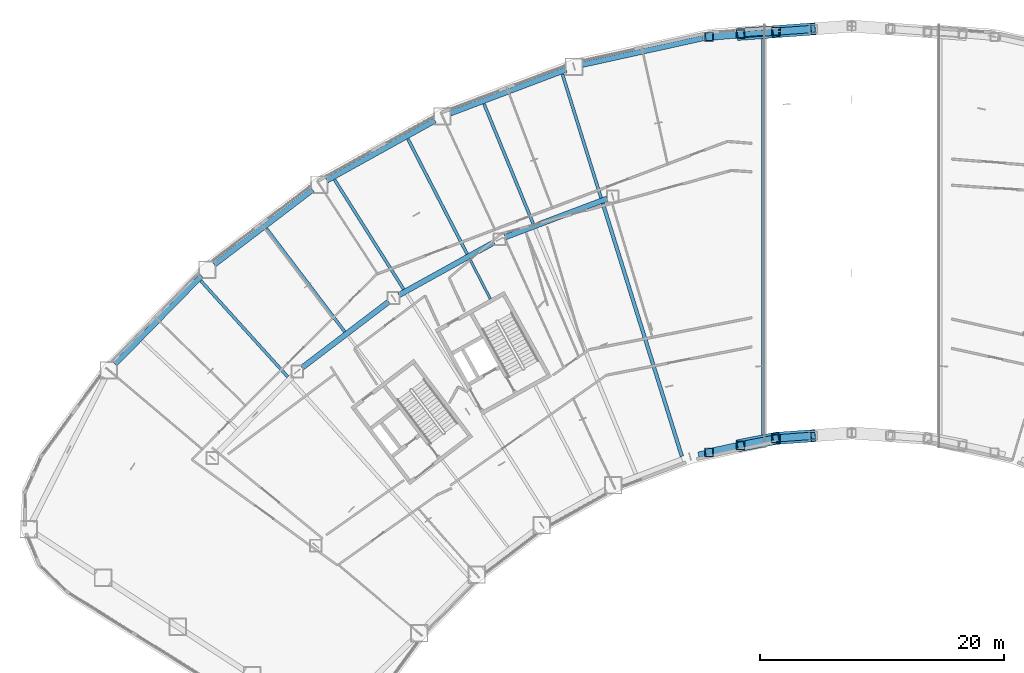
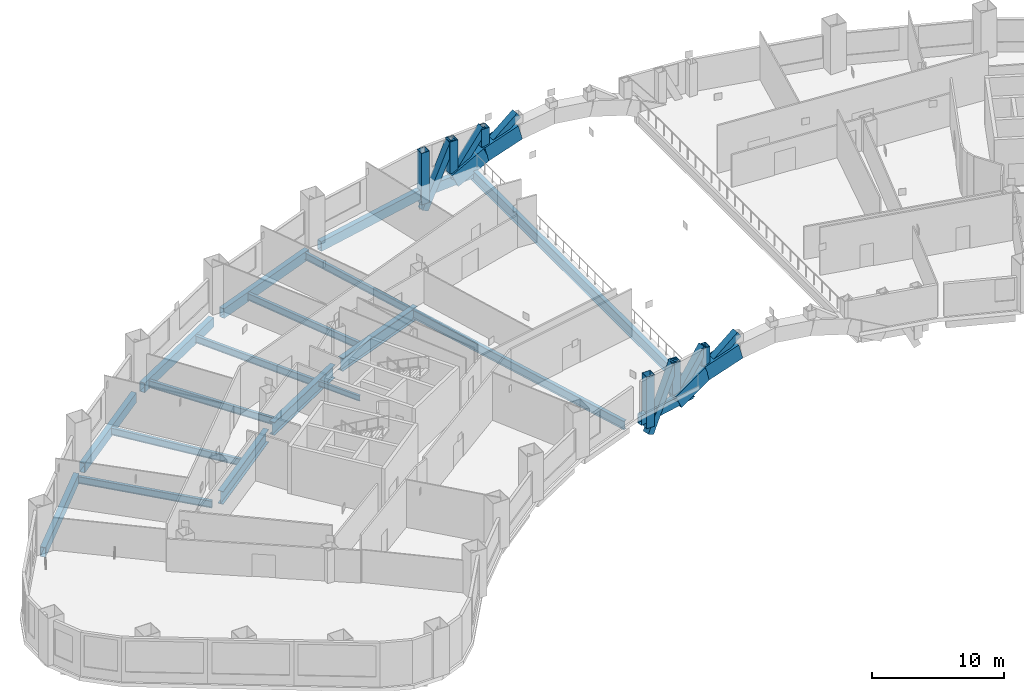
# One storey, part 3 of 24: 23 beams, 12 members.
"""IFC4 building model written with IfcOpenShell, lengths in metres."""

import ifcopenshell
import ifcopenshell.guid

model = None  # the IFC model being written
_history = None  # IfcOwnerHistory: only IFC2X3 demands one
_inside = {}  # id of a spatial element -> (the spatial element, [elements in it])
_under = {}  # id of a project, library or spatial element -> (it, [spatial elements below it])
_declared = {}  # id of a project -> (the project, [libraries it declares])
_typed = {}  # id of a type object -> (the type object, [elements of that type])
_made_of = {}  # id of a material, layer set ... -> (it, [elements and type objects made of it])


def new_model(schema):
    """Start an empty IFC model of exactly this schema.

    Asked for "IFC4X3", IfcOpenShell would pick the latest addendum, in which some entities
    have other attributes; the version numbers below select the first issue.
    IFC2X3 requires an IfcOwnerHistory on every rooted entity: one is made here for all.
    """
    global model, _history
    if schema == "IFC4X3":
        model = ifcopenshell.file(schema_version=(4, 3, 0, 0))
    else:
        model = ifcopenshell.file(schema=schema)
    _inside.clear()
    _under.clear()
    _declared.clear()
    _typed.clear()
    _made_of.clear()
    _history = None
    if model.schema == "IFC2X3":
        org = make("IfcOrganization", Name="unknown")
        user = make(
            "IfcPersonAndOrganization",
            ThePerson=make("IfcPerson", FamilyName="unknown"),
            TheOrganization=org,
        )
        app = make(
            "IfcApplication",
            ApplicationDeveloper=org,
            Version="unknown",
            ApplicationFullName="unknown",
            ApplicationIdentifier="unknown",
        )
        _history = make(
            "IfcOwnerHistory",
            OwningUser=user,
            OwningApplication=app,
            ChangeAction="ADDED",
            CreationDate=0,
        )
    return model


def make(cls, **values):
    """One entity of the class cls with the attributes given. An attribute that is None is left unset."""
    return model.create_entity(
        cls, **{name: value for name, value in values.items() if value is not None}
    )


def rooted(cls, **values):
    """An entity with a GlobalId (a new one), such as an element, a storey or a relation."""
    return make(cls, GlobalId=ifcopenshell.guid.new(), OwnerHistory=_history, **values)


def si_unit(unit_type, name, prefix=None):
    """IfcSIUnit, for example si_unit("LENGTHUNIT", "METRE", prefix="MILLI")."""
    return make("IfcSIUnit", UnitType=unit_type, Prefix=prefix, Name=name)


def assignment(units):
    """IfcUnitAssignment: the units of a project."""
    return None if units is None else make("IfcUnitAssignment", Units=units)


def point(xyz):
    """IfcCartesianPoint."""
    return None if xyz is None else make("IfcCartesianPoint", Coordinates=xyz)


def direction(xyz):
    """IfcDirection."""
    return None if xyz is None else make("IfcDirection", DirectionRatios=xyz)


def frame(location, z_axis=None, x_axis=None):
    """IfcAxis2Placement3D, a coordinate frame: its origin and axes. An axis left out is left unset."""
    return make(
        "IfcAxis2Placement3D",
        Location=point(location),
        Axis=direction(z_axis),
        RefDirection=direction(x_axis),
    )


def frame_2d(location, x_axis=None):
    """IfcAxis2Placement2D, a coordinate frame in the plane: its origin and x axis."""
    return make(
        "IfcAxis2Placement2D", Location=point(location), RefDirection=direction(x_axis)
    )


def origin():
    """The frame at (0, 0, 0) with its axes left unset."""
    return frame((0.0, 0.0, 0.0))


def origin_2d():
    """The frame at (0, 0) in the plane with its x axis left unset."""
    return frame_2d((0.0, 0.0))


def place(relative_to, where):
    """IfcLocalPlacement: puts the frame where relative to a parent placement (None: the world)."""
    return make(
        "IfcLocalPlacement", PlacementRelTo=relative_to, RelativePlacement=where
    )


def context(
    kind, dimensions, precision=None, world=None, true_north=None, identifier=None
):
    """IfcGeometricRepresentationContext, for example the 3D "Model" context."""
    return make(
        "IfcGeometricRepresentationContext",
        ContextIdentifier=identifier,
        ContextType=kind,
        CoordinateSpaceDimension=dimensions,
        Precision=precision,
        WorldCoordinateSystem=world,
        TrueNorth=true_north,
    )


def subcontext(parent, identifier, kind, view, scale=None):
    """IfcGeometricRepresentationSubContext, for example "Body" below "Model"."""
    return make(
        "IfcGeometricRepresentationSubContext",
        ContextIdentifier=identifier,
        ContextType=kind,
        ParentContext=parent,
        TargetScale=scale,
        TargetView=view,
    )


def project(units=None, contexts=None):
    """IfcProject with its units and contexts."""
    return rooted(
        "IfcProject",
        Name="project",
        RepresentationContexts=contexts,
        UnitsInContext=assignment(units),
    )


def spatial(cls, under=None, at=None, **own):
    """A site, building, storey or space (cls), placed at a placement, below another one or the project."""
    s = rooted(cls, ObjectPlacement=at, **own)
    if under is not None:
        _under.setdefault(under.id(), (under, []))[1].append(s)
    return s


def profile(cls, at=None, kind="AREA", **sizes):
    """A parametric profile (cls). Its sizes go by their IFC names, for example OverallWidth=200.0."""
    return make(cls, ProfileType=kind, Position=at, **sizes)


def hollow_rectangle(**sizes):
    """IfcRectangleHollowProfileDef."""
    return profile("IfcRectangleHollowProfileDef", **sizes)


def i_section(**sizes):
    """IfcIShapeProfileDef."""
    return profile("IfcIShapeProfileDef", **sizes)


def extrude(swept, where, along, depth):
    """IfcExtrudedAreaSolid: the profile swept, set in the frame where, extruded along a direction by depth."""
    return make(
        "IfcExtrudedAreaSolid",
        SweptArea=swept,
        Position=where,
        ExtrudedDirection=direction(along),
        Depth=depth,
    )


def shape(context_of_items, identifier, shape_type, items):
    """IfcShapeRepresentation: the items that make up one representation, for example the "Body"."""
    return make(
        "IfcShapeRepresentation",
        ContextOfItems=context_of_items,
        RepresentationIdentifier=identifier,
        RepresentationType=shape_type,
        Items=items,
    )


def material(Name=None, Category=None):
    """IfcMaterial."""
    return make("IfcMaterial", Name=Name, Category=Category)


def material_profile(
    of_material, cross_section, Name=None, Category=None, Priority=None
):
    """IfcMaterialProfile: a cross section and its material."""
    return make(
        "IfcMaterialProfile",
        Name=Name,
        Material=of_material,
        Profile=cross_section,
        Priority=Priority,
        Category=Category,
    )


def profile_set(profiles, Name=None, composite=None):
    """IfcMaterialProfileSet."""
    return make(
        "IfcMaterialProfileSet",
        Name=Name,
        MaterialProfiles=profiles,
        CompositeProfile=composite,
    )


def made_of(thing, what):
    """Note that an element or type object is made of a material, layer set ...; save() writes the relation."""
    if what is not None:
        _made_of.setdefault(what.id(), (what, []))[1].append(thing)
    return thing


def type_object(cls, material=None, **own):
    """A type object (cls), such as IfcWallType, which elements share."""
    return made_of(rooted(cls, **own), material)


def element(
    cls,
    number,
    at=None,
    inside=None,
    cuts=None,
    type_object=None,
    material=None,
    context=None,
    identifier="Body",
    shape_type=None,
    held_by="IfcProductDefinitionShape",
    body=None,
    shapes=None,
    **own,
):
    """One element of the class cls, such as IfcWall. Its Tag is "e" and its number.

    at: its placement. inside: the storey or other place that contains it. cuts: it is an
    opening in that element (IfcRelVoidsElement). A single representation is given by context,
    identifier, shape_type and body (its items); several are given by shapes. held_by: the class
    of the entity that holds the representations. save() writes the other relations.
    """
    e = rooted(cls, Tag="e%d" % number, ObjectPlacement=at, **own)
    if body is not None:
        shapes = [shape(context, identifier, shape_type, body)]
    if shapes is not None:
        e.Representation = make(held_by, Representations=shapes)
    if inside is not None:
        _inside.setdefault(inside.id(), (inside, []))[1].append(e)
    if cuts is not None:
        rooted(
            "IfcRelVoidsElement", RelatingBuildingElement=cuts, RelatedOpeningElement=e
        )
    if type_object is not None:
        _typed.setdefault(type_object.id(), (type_object, []))[1].append(e)
    return made_of(e, material)


def aggregate(whole, parts):
    """IfcRelAggregates: a whole, such as a stair, and the parts it consists of."""
    return rooted("IfcRelAggregates", RelatingObject=whole, RelatedObjects=parts)


def save(model, path):
    """Write the relations noted so far, then the file.

    IfcRelAggregates (storeys below a building ...), IfcRelContainedInSpatialStructure (elements
    in a storey), IfcRelDefinesByType, IfcRelAssociatesMaterial and IfcRelDeclares: one each for
    every whole, place, type object, material and project.
    """
    for whole, parts in _under.values():
        aggregate(whole, parts)
    for where, things in _inside.values():
        rooted(
            "IfcRelContainedInSpatialStructure",
            RelatedElements=things,
            RelatingStructure=where,
        )
    for kind, things in _typed.values():
        rooted("IfcRelDefinesByType", RelatedObjects=things, RelatingType=kind)
    for what, things in _made_of.values():
        rooted("IfcRelAssociatesMaterial", RelatedObjects=things, RelatingMaterial=what)
    for by, libraries in _declared.values():
        rooted("IfcRelDeclares", RelatingContext=by, RelatedDefinitions=libraries)
    model.write(path)


model = new_model("IFC4")

# Units and contexts
model_context = context("Model", 3, precision=1e-05, world=origin(), true_north=direction((0.0, 1.0)))
body_context = subcontext(model_context, "Body", "Model", "MODEL_VIEW")
ifc_project = project(units=[si_unit("LENGTHUNIT", "METRE"), si_unit("AREAUNIT", "SQUARE_METRE"), si_unit("VOLUMEUNIT", "CUBIC_METRE"), si_unit("PLANEANGLEUNIT", "RADIAN"), si_unit("MASSUNIT", "GRAM", prefix="KILO")], contexts=[model_context])

# Site, building, storey
site_placement = place(None, origin())
site = spatial("IfcSite", under=ifc_project, at=site_placement, CompositionType="ELEMENT")
building_placement = place(site_placement, origin())
building = spatial("IfcBuilding", under=site, at=building_placement, Name="Tuul Gate Civic Tower", CompositionType="ELEMENT")
storey_placement = place(building_placement, frame((0.0, 0.0, 21.89990234375)))
storey = spatial("IfcBuildingStorey", under=building, at=storey_placement, Name="Level 04", CompositionType="ELEMENT", Elevation=21.89990234375)

# Beams
ifc_material_1 = material(Name="Steel S460", Category="steel")
ifc_material_profile_1 = material_profile(ifc_material_1, hollow_rectangle(XDim=1.0, YDim=1.39990234375, WallThickness=0.0400390625, at=origin_2d()), Name="BOX1400x1000x40")
ifc_profile_set_1 = profile_set([ifc_material_profile_1], Name="Steel S460")
beam_type_1 = type_object("IfcBeamType", Name="STR-ARCH TRUSS CHORD-BOX1400x1000x40", PredefinedType="BEAM", material=ifc_profile_set_1)
beam_1_placement = place(storey_placement, frame((-9.110107421875, 19.254150390625, -0.6279296875), z_axis=(0.905323274068, 0.065614257805, 0.419624282666), x_axis=(-0.072286449548, 0.997383912649, 0.0)))
element("IfcBeam", 1, at=beam_1_placement, inside=storey, type_object=beam_type_1, Name="Arch rib", PredefinedType="BEAM", context=body_context, shape_type="SweptSolid", body=[
    extrude(hollow_rectangle(XDim=1.0, YDim=1.39990234375, WallThickness=0.0400390625, at=origin_2d()), origin(), (0.0, 0.0, 1.0), 3.181396484375),
])
beam_2_placement = place(storey_placement, frame((-6.22998046875, 19.462890625, 0.70703125), z_axis=(0.963876910917, 0.069801686212, 0.257038956588), x_axis=(-0.07222848812, 0.997388111772, 0.0)))
element("IfcBeam", 2, at=beam_2_placement, inside=storey, type_object=beam_type_1, Name="Arch rib", PredefinedType="BEAM", context=body_context, shape_type="SweptSolid", body=[
    extrude(hollow_rectangle(XDim=1.0, YDim=1.39990234375, WallThickness=0.0400390625, at=origin_2d()), origin(), (0.0, 0.0, 1.0), 3.182861328125),
])
beam_3_placement = place(storey_placement, frame((-9.110107421875, -14.489013671875, -0.6279296875), z_axis=(0.893267297802, 0.175064337757, 0.41403624518), x_axis=(-0.192323360014, 0.98133160817, 0.0)))
element("IfcBeam", 3, at=beam_3_placement, inside=storey, type_object=beam_type_1, Name="Arch rib", PredefinedType="BEAM", context=body_context, shape_type="SweptSolid", body=[
    extrude(hollow_rectangle(XDim=1.0, YDim=1.39990234375, WallThickness=0.0400390625, at=origin_2d()), origin(), (0.0, 0.0, 1.0), 3.224365234375),
])
beam_4_placement = place(storey_placement, frame((-6.22998046875, -13.924560546875, 0.70703125), z_axis=(0.963871747382, 0.069878017019, 0.257037579618), x_axis=(-0.072307445326, 0.997382390736, 0.0)))
element("IfcBeam", 4, at=beam_4_placement, inside=storey, type_object=beam_type_1, Name="Arch rib", PredefinedType="BEAM", context=body_context, shape_type="SweptSolid", body=[
    extrude(hollow_rectangle(XDim=1.0, YDim=1.39990234375, WallThickness=0.0400390625, at=origin_2d()), origin(), (0.0, 0.0, 1.0), 3.182861328125),
])

# Members
ifc_material_2 = material(Name="Steel S355", Category="steel")
ifc_material_profile_2 = material_profile(ifc_material_2, hollow_rectangle(XDim=0.60009765625, YDim=0.60009765625, WallThickness=0.02490234375, at=origin_2d()), Name="BOX600x600x25")
ifc_profile_set_2 = profile_set([ifc_material_profile_2], Name="Steel S355")
member_type_1 = type_object("IfcMemberType", Name="STR-ARCH TRUSS DIAGONAL-BOX600x600x25", PredefinedType="BRACE", material=ifc_profile_set_2)
member_1_placement = place(storey_placement, frame((-11.715087890625, 19.0361328125, -2.44189453125), z_axis=(0.430844831855, 0.036058522479, 0.901705336471), x_axis=(-0.083401016609, 0.996516066317, 0.0)))
element("IfcMember", 5, at=member_1_placement, inside=storey, type_object=member_type_1, Name="Arch web", PredefinedType="BRACE", context=body_context, shape_type="SweptSolid", body=[
    extrude(hollow_rectangle(XDim=0.60009765625, YDim=0.60009765625, WallThickness=0.02490234375, at=origin_2d()), origin(), (0.0, 0.0, 1.0), 6.046142578125),
])
member_2_placement = place(storey_placement, frame((-9.110107421875, 19.254150390625, -0.6279296875), z_axis=(0.620087915001, 0.044941524737, 0.783244046913), x_axis=(-0.072286449548, 0.997383912649, 0.0)))
element("IfcMember", 6, at=member_2_placement, inside=storey, type_object=member_type_1, Name="Arch web", PredefinedType="BRACE", context=body_context, shape_type="SweptSolid", body=[
    extrude(hollow_rectangle(XDim=0.60009765625, YDim=0.60009765625, WallThickness=0.02490234375, at=origin_2d()), origin(), (0.0, 0.0, 1.0), 4.644775390625),
])
member_3_placement = place(storey_placement, frame((-6.22998046875, 19.462890625, 0.70703125), z_axis=(0.798402388449, 0.05781841266, 0.599341853433), x_axis=(-0.07222848812, 0.997388111772, 0.0)))
element("IfcMember", 7, at=member_3_placement, inside=storey, type_object=member_type_1, Name="Arch web", PredefinedType="BRACE", context=body_context, shape_type="SweptSolid", body=[
    extrude(hollow_rectangle(XDim=0.60009765625, YDim=0.60009765625, WallThickness=0.02490234375, at=origin_2d()), origin(), (0.0, 0.0, 1.0), 3.842529296875),
])
member_4_placement = place(storey_placement, frame((-11.715087890625, -15.063232421875, -2.44189453125), z_axis=(0.429191468497, 0.094607154068, 0.898245049955), x_axis=(-0.215263336647, 0.976556038277, 0.0)))
element("IfcMember", 8, at=member_4_placement, inside=storey, type_object=member_type_1, Name="Arch web", PredefinedType="BRACE", context=body_context, shape_type="SweptSolid", body=[
    extrude(hollow_rectangle(XDim=0.60009765625, YDim=0.60009765625, WallThickness=0.02490234375, at=origin_2d()), origin(), (0.0, 0.0, 1.0), 6.069580078125),
])
member_5_placement = place(storey_placement, frame((-9.110107421875, -14.489013671875, -0.6279296875), z_axis=(0.616172608496, 0.12075875823, 0.778298553802), x_axis=(-0.192323360014, 0.98133160817, 0.0)))
element("IfcMember", 9, at=member_5_placement, inside=storey, type_object=member_type_1, Name="Arch web", PredefinedType="BRACE", context=body_context, shape_type="SweptSolid", body=[
    extrude(hollow_rectangle(XDim=0.60009765625, YDim=0.60009765625, WallThickness=0.02490234375, at=origin_2d()), origin(), (0.0, 0.0, 1.0), 4.67431640625),
])
member_6_placement = place(storey_placement, frame((-6.22998046875, -13.924560546875, 0.70703125), z_axis=(0.798399453849, 0.057881736627, 0.599339650498), x_axis=(-0.072307445326, 0.997382390736, 0.0)))
element("IfcMember", 10, at=member_6_placement, inside=storey, type_object=member_type_1, Name="Arch web", PredefinedType="BRACE", context=body_context, shape_type="SweptSolid", body=[
    extrude(hollow_rectangle(XDim=0.60009765625, YDim=0.60009765625, WallThickness=0.02490234375, at=origin_2d()), origin(), (0.0, 0.0, 1.0), 3.842529296875),
])
ifc_material_3 = material(Name="Steel S355", Category="steel")
ifc_material_profile_3 = material_profile(ifc_material_3, hollow_rectangle(XDim=0.699951171875, YDim=0.699951171875, WallThickness=0.030029296875, at=origin_2d()), Name="BOX700x700x30")
ifc_profile_set_3 = profile_set([ifc_material_profile_3], Name="Steel S355")
member_type_2 = type_object("IfcMemberType", Name="STR-ARCH TRUSS POST-BOX700x700x30", PredefinedType="POST", material=ifc_profile_set_3)
member_7_placement = place(storey_placement, frame((-11.715087890625, 19.0361328125, -1.751953125), z_axis=(0.0, 0.0, 1.0), x_axis=(1.0, 0.0, 0.0)))
element("IfcMember", 11, at=member_7_placement, inside=storey, type_object=member_type_2, Name="Arch post", PredefinedType="POST", context=body_context, shape_type="SweptSolid", body=[
    extrude(hollow_rectangle(XDim=0.699951171875, YDim=0.699951171875, WallThickness=0.030029296875, at=origin_2d()), origin(), (0.0, 0.0, 1.0), 4.761962890625),
])
member_8_placement = place(storey_placement, frame((-9.110107421875, 19.254150390625, 0.06201171875), z_axis=(0.0, 0.0, 1.0), x_axis=(1.0, 0.0, 0.0)))
element("IfcMember", 12, at=member_8_placement, inside=storey, type_object=member_type_2, Name="Arch post", PredefinedType="POST", context=body_context, shape_type="SweptSolid", body=[
    extrude(hollow_rectangle(XDim=0.699951171875, YDim=0.699951171875, WallThickness=0.030029296875, at=origin_2d()), origin(), (0.0, 0.0, 1.0), 2.947998046875),
])
member_9_placement = place(storey_placement, frame((-6.22998046875, 19.462890625, 1.397216796875), z_axis=(0.0, 0.0, 1.0), x_axis=(1.0, 0.0, 0.0)))
element("IfcMember", 13, at=member_9_placement, inside=storey, type_object=member_type_2, Name="Arch post", PredefinedType="POST", context=body_context, shape_type="SweptSolid", body=[
    extrude(hollow_rectangle(XDim=0.699951171875, YDim=0.699951171875, WallThickness=0.030029296875, at=origin_2d()), origin(), (0.0, 0.0, 1.0), 1.61279296875),
])
member_10_placement = place(storey_placement, frame((-11.715087890625, -15.063232421875, -1.751953125), z_axis=(0.0, 0.0, 1.0), x_axis=(1.0, 0.0, 0.0)))
element("IfcMember", 14, at=member_10_placement, inside=storey, type_object=member_type_2, Name="Arch post", PredefinedType="POST", context=body_context, shape_type="SweptSolid", body=[
    extrude(hollow_rectangle(XDim=0.699951171875, YDim=0.699951171875, WallThickness=0.030029296875, at=origin_2d()), origin(), (0.0, 0.0, 1.0), 4.761962890625),
])
member_11_placement = place(storey_placement, frame((-9.110107421875, -14.489013671875, 0.06201171875), z_axis=(0.0, 0.0, 1.0), x_axis=(1.0, 0.0, 0.0)))
element("IfcMember", 15, at=member_11_placement, inside=storey, type_object=member_type_2, Name="Arch post", PredefinedType="POST", context=body_context, shape_type="SweptSolid", body=[
    extrude(hollow_rectangle(XDim=0.699951171875, YDim=0.699951171875, WallThickness=0.030029296875, at=origin_2d()), origin(), (0.0, 0.0, 1.0), 2.947998046875),
])
member_12_placement = place(storey_placement, frame((-6.22998046875, -13.924560546875, 1.397216796875), z_axis=(0.0, 0.0, 1.0), x_axis=(1.0, 0.0, 0.0)))
element("IfcMember", 16, at=member_12_placement, inside=storey, type_object=member_type_2, Name="Arch post", PredefinedType="POST", context=body_context, shape_type="SweptSolid", body=[
    extrude(hollow_rectangle(XDim=0.699951171875, YDim=0.699951171875, WallThickness=0.030029296875, at=origin_2d()), origin(), (0.0, 0.0, 1.0), 1.61279296875),
])

# Beams
ifc_material_4 = material(Name="Steel S355", Category="steel")
ifc_material_profile_4 = material_profile(ifc_material_4, i_section(OverallWidth=0.199951171875, OverallDepth=0.5, WebThickness=0.010009765625, FlangeThickness=0.01611328125, at=origin_2d()), Name="PG500x200x10x16")
ifc_profile_set_4 = profile_set([ifc_material_profile_4], Name="Steel S355")
beam_type_2 = type_object("IfcBeamType", Name="STR-FLOOR BEAM-PG500x200x10x16", PredefinedType="BEAM", material=ifc_profile_set_4)
beam_5_placement = place(storey_placement, frame((-29.65625, -2.4814453125, -0.599853515625), z_axis=(-0.458245936385, 0.888825439435, 0.0), x_axis=(-0.888825439435, -0.458245936385, 0.0)))
element("IfcBeam", 17, at=beam_5_placement, inside=storey, type_object=beam_type_2, Name="Floor beam", PredefinedType="BEAM", context=body_context, shape_type="SweptSolid", body=[
    extrude(i_section(OverallWidth=0.199951171875, OverallDepth=0.5, WebThickness=0.010009765625, FlangeThickness=0.01611328125, at=origin_2d()), origin(), (0.0, 0.0, 1.0), 3.697509765625),
])
ifc_material_5 = material(Name="Steel S355", Category="steel")
ifc_material_profile_5 = material_profile(ifc_material_5, i_section(OverallWidth=0.25, OverallDepth=0.64990234375, WebThickness=0.011962890625, FlangeThickness=0.02001953125, at=origin_2d()), Name="PG650x250x12x20")
ifc_profile_set_5 = profile_set([ifc_material_profile_5], Name="Steel S355")
beam_type_3 = type_object("IfcBeamType", Name="STR-FLOOR BEAM-PG650x250x12x20", PredefinedType="BEAM", material=ifc_profile_set_5)
beam_6_placement = place(storey_placement, frame((-20.569091796875, 5.808837890625, -0.6748046875), z_axis=(-0.298314175954, 0.954467732522, 0.0), x_axis=(-0.954467732522, -0.298314175954, 0.0)))
element("IfcBeam", 18, at=beam_6_placement, inside=storey, type_object=beam_type_3, Name="Floor beam", PredefinedType="BEAM", context=body_context, shape_type="SweptSolid", body=[
    extrude(i_section(OverallWidth=0.25, OverallDepth=0.64990234375, WebThickness=0.011962890625, FlangeThickness=0.02001953125, at=origin_2d()), origin(), (0.0, 0.0, 1.0), 10.643310546875),
])
beam_7_placement = place(storey_placement, frame((-26.146240234375, 3.7001953125, -0.6748046875), z_axis=(-0.379723712326, 0.925099941789, 0.0), x_axis=(-0.925099941789, -0.379723712326, 0.0)))
element("IfcBeam", 19, at=beam_7_placement, inside=storey, type_object=beam_type_3, Name="Floor beam", PredefinedType="BEAM", context=body_context, shape_type="SweptSolid", body=[
    extrude(i_section(OverallWidth=0.25, OverallDepth=0.64990234375, WebThickness=0.011962890625, FlangeThickness=0.02001953125, at=origin_2d()), origin(), (0.0, 0.0, 1.0), 10.629150390625),
])
beam_8_placement = place(storey_placement, frame((-31.556884765625, 1.205078125, -0.6748046875), z_axis=(-0.458267871085, 0.888814130362, 0.0), x_axis=(-0.888814130362, -0.458267871085, 0.0)))
element("IfcBeam", 20, at=beam_8_placement, inside=storey, type_object=beam_type_3, Name="Floor beam", PredefinedType="BEAM", context=body_context, shape_type="SweptSolid", body=[
    extrude(i_section(OverallWidth=0.25, OverallDepth=0.64990234375, WebThickness=0.011962890625, FlangeThickness=0.02001953125, at=origin_2d()), origin(), (0.0, 0.0, 1.0), 10.6298828125),
])
beam_9_placement = place(storey_placement, frame((-36.771484375, -1.685546875, -0.6748046875), z_axis=(-0.533386929433, 0.845871375275, 0.0), x_axis=(-0.845871375275, -0.533386929433, 0.0)))
element("IfcBeam", 21, at=beam_9_placement, inside=storey, type_object=beam_type_3, Name="Floor beam", PredefinedType="BEAM", context=body_context, shape_type="SweptSolid", body=[
    extrude(i_section(OverallWidth=0.25, OverallDepth=0.64990234375, WebThickness=0.011962890625, FlangeThickness=0.02001953125, at=origin_2d()), origin(), (0.0, 0.0, 1.0), 10.641845703125),
])
beam_10_placement = place(storey_placement, frame((-41.608642578125, -5.169921875, -0.6748046875), z_axis=(-0.604505162529, 0.796601222995, 0.0), x_axis=(-0.796601222995, -0.604505162529, 0.0)))
element("IfcBeam", 22, at=beam_10_placement, inside=storey, type_object=beam_type_3, Name="Floor beam", PredefinedType="BEAM", context=body_context, shape_type="SweptSolid", body=[
    extrude(i_section(OverallWidth=0.25, OverallDepth=0.64990234375, WebThickness=0.011962890625, FlangeThickness=0.02001953125, at=origin_2d()), origin(), (0.0, 0.0, 1.0), 10.625),
])
beam_11_placement = place(storey_placement, frame((-46.27490234375, -8.881103515625, -0.6748046875), z_axis=(-0.671117501912, 0.741350995567, 0.0), x_axis=(-0.741350995567, -0.671117501912, 0.0)))
element("IfcBeam", 23, at=beam_11_placement, inside=storey, type_object=beam_type_3, Name="Floor beam", PredefinedType="BEAM", context=body_context, shape_type="SweptSolid", body=[
    extrude(i_section(OverallWidth=0.25, OverallDepth=0.64990234375, WebThickness=0.011962890625, FlangeThickness=0.02001953125, at=origin_2d()), origin(), (0.0, 0.0, 1.0), 10.643798828125),
])
ifc_material_6 = material(Name="Steel S355", Category="steel")
ifc_material_profile_6 = material_profile(ifc_material_6, i_section(OverallWidth=0.300048828125, OverallDepth=0.800048828125, WebThickness=0.013916015625, FlangeThickness=0.02490234375, at=origin_2d()), Name="PG800x300x14x25")
ifc_profile_set_6 = profile_set([ifc_material_profile_6], Name="Steel S355")
beam_type_4 = type_object("IfcBeamType", Name="STR-FLOOR BEAM-PG800x300x14x25", PredefinedType="BEAM", material=ifc_profile_set_6)
beam_12_placement = place(storey_placement, frame((-13.9423828125, -15.392822265625, -0.75), z_axis=(-0.298320984436, 0.954465604537, 0.0), x_axis=(-0.954465604537, -0.298320984436, 0.0)))
element("IfcBeam", 24, at=beam_12_placement, inside=storey, type_object=beam_type_4, Name="Floor beam", PredefinedType="BEAM", context=body_context, shape_type="SweptSolid", body=[
    extrude(i_section(OverallWidth=0.300048828125, OverallDepth=0.800048828125, WebThickness=0.013916015625, FlangeThickness=0.02490234375, at=origin_2d()), origin(), (0.0, 0.0, 1.0), 21.762451171875),
])
ifc_material_7 = material(Name="Steel S355", Category="steel")
ifc_material_profile_7 = material_profile(ifc_material_7, i_section(OverallWidth=0.35009765625, OverallDepth=1.0, WebThickness=0.01611328125, FlangeThickness=0.030029296875, at=origin_2d()), Name="PG1000x350x16x30")
ifc_profile_set_7 = profile_set([ifc_material_profile_7], Name="Steel S355")
beam_type_5 = type_object("IfcBeamType", Name="STR-RING BEAM-PG1000x350x16x30", PredefinedType="BEAM", material=ifc_profile_set_7)
beam_13_placement = place(storey_placement, frame((-7.25, -14.0791015625, -0.849853515625), z_axis=(0.0, 1.0, 0.0), x_axis=(-1.0, 0.0, 0.0)))
element("IfcBeam", 25, at=beam_13_placement, inside=storey, type_object=beam_type_5, Name="Tunnel edge beam", PredefinedType="BEAM", context=body_context, shape_type="SweptSolid", body=[
    extrude(i_section(OverallWidth=0.35009765625, OverallDepth=1.0, WebThickness=0.01611328125, FlangeThickness=0.030029296875, at=origin_2d()), origin(), (0.0, 0.0, 1.0), 33.468017578125),
])
ifc_material_8 = material(Name="Steel S355", Category="steel")
ifc_material_profile_8 = material_profile(ifc_material_8, i_section(OverallWidth=0.449951171875, OverallDepth=1.199951171875, WebThickness=0.02001953125, FlangeThickness=0.0400390625, at=origin_2d()), Name="PG1200x450x20x40")
ifc_profile_set_8 = profile_set([ifc_material_profile_8], Name="Steel S355")
beam_type_6 = type_object("IfcBeamType", Name="STR-RING BEAM-PG1200x450x20x40", PredefinedType="BEAM", material=ifc_profile_set_8)
beam_14_placement = place(storey_placement, frame((-45.1162109375, -8.12353515625, -0.949951171875), z_axis=(0.795619775117, 0.605796313494, 0.0), x_axis=(-0.605796313494, 0.795619775117, 0.0)))
element("IfcBeam", 26, at=beam_14_placement, inside=storey, type_object=beam_type_6, Name="Ring girder", PredefinedType="BEAM", context=body_context, shape_type="SweptSolid", body=[
    extrude(i_section(OverallWidth=0.449951171875, OverallDepth=1.199951171875, WebThickness=0.02001953125, FlangeThickness=0.0400390625, at=origin_2d()), origin(), (0.0, 0.0, 1.0), 8.938720703125),
])
beam_15_placement = place(storey_placement, frame((-37.16943359375, -2.163330078125, -0.949951171875), z_axis=(0.874603942318, 0.484838059646, 0.0), x_axis=(-0.484838059646, 0.874603942318, 0.0)))
element("IfcBeam", 27, at=beam_15_placement, inside=storey, type_object=beam_type_6, Name="Ring girder", PredefinedType="BEAM", context=body_context, shape_type="SweptSolid", body=[
    extrude(i_section(OverallWidth=0.449951171875, OverallDepth=1.199951171875, WebThickness=0.02001953125, FlangeThickness=0.0400390625, at=origin_2d()), origin(), (0.0, 0.0, 1.0), 8.93896484375),
])
beam_16_placement = place(storey_placement, frame((-28.4462890625, 2.58984375, -0.949951171875), z_axis=(0.935363691273, 0.353687383218, 0.0), x_axis=(-0.353687383218, 0.935363691273, 0.0)))
element("IfcBeam", 28, at=beam_16_placement, inside=storey, type_object=beam_type_6, Name="Ring girder", PredefinedType="BEAM", context=body_context, shape_type="SweptSolid", body=[
    extrude(i_section(OverallWidth=0.449951171875, OverallDepth=1.199951171875, WebThickness=0.02001953125, FlangeThickness=0.0400390625, at=origin_2d()), origin(), (0.0, 0.0, 1.0), 8.938232421875),
])
ifc_material_9 = material(Name="Steel S355", Category="steel")
ifc_material_profile_9 = material_profile(ifc_material_9, hollow_rectangle(XDim=0.449951171875, YDim=0.89990234375, WallThickness=0.02490234375, at=origin_2d()), Name="BOX900x450x25")
ifc_profile_set_9 = profile_set([ifc_material_profile_9], Name="Steel S355")
beam_type_7 = type_object("IfcBeamType", Name="STR-SPANDREL BEAM-BOX900x450x25", PredefinedType="BEAM", material=ifc_profile_set_9)
beam_17_placement = place(storey_placement, frame((-7.050048828125, 19.4033203125, -0.7998046875), z_axis=(-0.997391003853, -0.072188540874, 0.0), x_axis=(0.072188540874, -0.997391003853, 0.0)))
element("IfcBeam", 29, at=beam_17_placement, inside=storey, type_object=beam_type_7, Name="Spandrel beam", PredefinedType="BEAM", context=body_context, shape_type="SweptSolid", body=[
    extrude(hollow_rectangle(XDim=0.449951171875, YDim=0.89990234375, WallThickness=0.02490234375, at=origin_2d()), origin(), (0.0, 0.0, 1.0), 3.777587890625),
])
for number, where, z_axis, x_axis, name in (
    (30, (-12.19970703125, 18.929443359375, -0.7998046875), (-0.976563206365, -0.215230815575, 0.0), (0.215230815575, -0.976563206365, 0.0), "Spandrel beam"),
    (31, (-23.44677734375, 16.347412109375, -0.7998046875), (-0.935355549891, -0.353708913215, 0.0), (0.353708913215, -0.935355549891, 0.0), "Spandrel beam"),
):
    element("IfcBeam", number, at=place(storey_placement, frame(where, z_axis=z_axis, x_axis=x_axis)), inside=storey, type_object=beam_type_7, Name=name, PredefinedType="BEAM", context=body_context, shape_type="SweptSolid", body=[
        extrude(hollow_rectangle(XDim=0.449951171875, YDim=0.89990234375, WallThickness=0.02490234375, at=origin_2d()), origin(), (0.0, 0.0, 1.0), 10.146484375),
    ])
for number, where, z_axis, x_axis, name in (
    (32, (-34.204345703125, 12.171630859375, -0.7998046875), (-0.874621074476, -0.484807153497, 0.0), (0.484807153497, -0.874621074476, 0.0), "Spandrel beam"),
    (33, (-44.248046875, 6.489013671875, -0.7998046875), (-0.795616160285, -0.605801060987, 0.0), (0.605801060987, -0.795616160285, 0.0), "Spandrel beam"),
):
    element("IfcBeam", number, at=place(storey_placement, frame(where, z_axis=z_axis, x_axis=x_axis)), inside=storey, type_object=beam_type_7, Name=name, PredefinedType="BEAM", context=body_context, shape_type="SweptSolid", body=[
        extrude(hollow_rectangle(XDim=0.449951171875, YDim=0.89990234375, WallThickness=0.02490234375, at=origin_2d()), origin(), (0.0, 0.0, 1.0), 10.146728515625),
    ])
beam_18_placement = place(storey_placement, frame((-53.367919921875, -0.581787109375, -0.7998046875), z_axis=(-0.700009826077, -0.714133211239, 0.0), x_axis=(0.714133211239, -0.700009826077, 0.0)))
element("IfcBeam", 34, at=beam_18_placement, inside=storey, type_object=beam_type_7, Name="Spandrel beam", PredefinedType="BEAM", context=body_context, shape_type="SweptSolid", body=[
    extrude(hollow_rectangle(XDim=0.449951171875, YDim=0.89990234375, WallThickness=0.02490234375, at=origin_2d()), origin(), (0.0, 0.0, 1.0), 10.14697265625),
])
beam_19_placement = place(storey_placement, frame((-12.58642578125, -15.25537109375, -0.7998046875), z_axis=(0.976555830426, 0.215264279577, 0.0), x_axis=(-0.215264279577, 0.976555830426, 0.0)))
element("IfcBeam", 35, at=beam_19_placement, inside=storey, type_object=beam_type_7, Name="Spandrel beam", PredefinedType="BEAM", context=body_context, shape_type="SweptSolid", body=[
    extrude(hollow_rectangle(XDim=0.449951171875, YDim=0.89990234375, WallThickness=0.02490234375, at=origin_2d()), origin(), (0.0, 0.0, 1.0), 5.322509765625),
])

save(model, "model.ifc")
